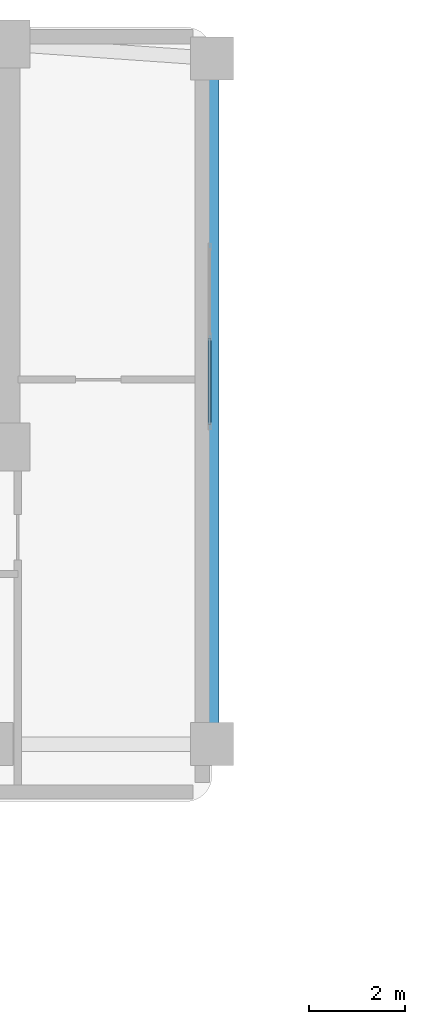
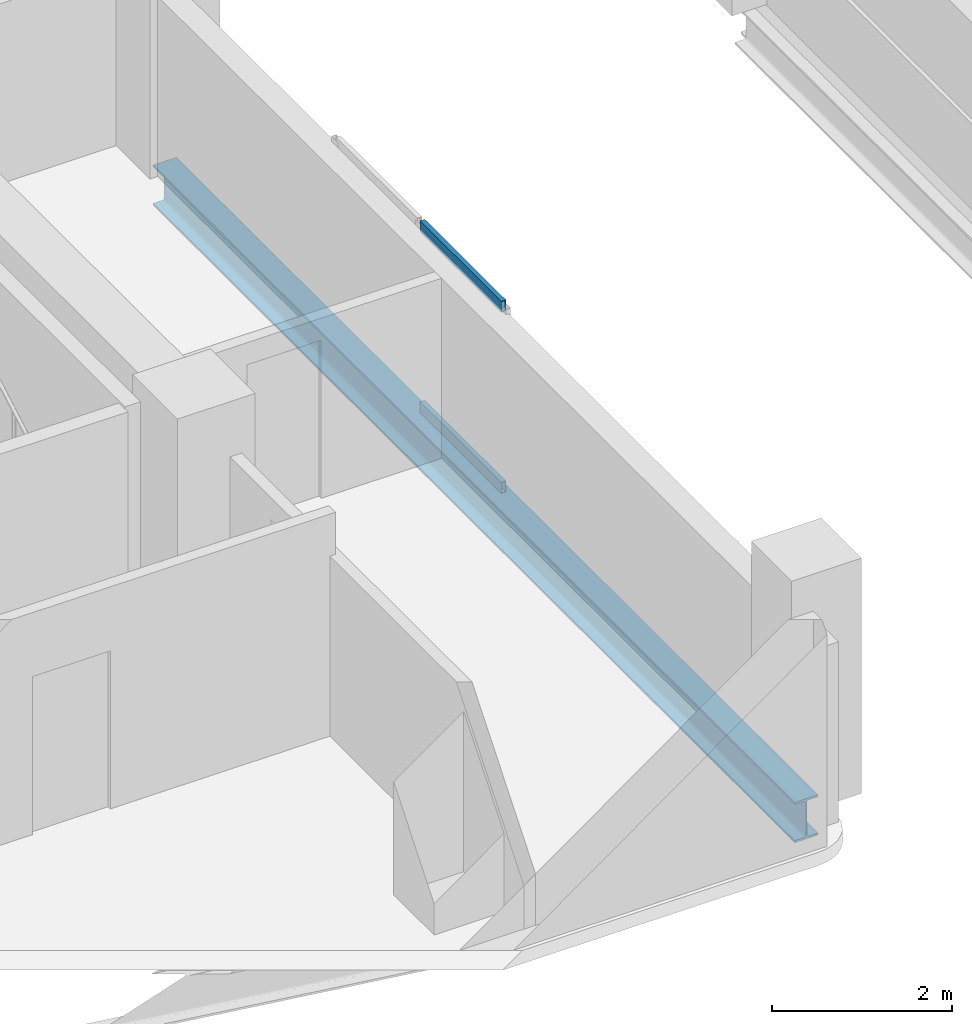
# One storey, part 3 of 9: 2 members, 1 beam, 1 element without a shape of its own.
"""IFC4 building model written with IfcOpenShell, lengths in metres."""

from ifc_helpers import new_model, si_unit, direction, frame, origin, origin_2d, place, context, subcontext, project, spatial, hollow_rectangle, i_section, extrude, material, material_profile, profile_set, type_object, element, aggregate, save


model = new_model("IFC4")

# Units and contexts
model_context = context("Model", 3, precision=1e-05, world=origin(), true_north=direction((0.0, 1.0)))
body_context = subcontext(model_context, "Body", "Model", "MODEL_VIEW")
ifc_project = project(units=[si_unit("LENGTHUNIT", "METRE"), si_unit("AREAUNIT", "SQUARE_METRE"), si_unit("VOLUMEUNIT", "CUBIC_METRE"), si_unit("PLANEANGLEUNIT", "RADIAN"), si_unit("MASSUNIT", "GRAM", prefix="KILO")], contexts=[model_context])

# Site, building, storey
site_placement = place(None, origin())
site = spatial("IfcSite", under=ifc_project, at=site_placement, CompositionType="ELEMENT")
building_placement = place(site_placement, origin())
building = spatial("IfcBuilding", under=site, at=building_placement, Name="Kuzgunbayir Cultural Tower", CompositionType="ELEMENT")
storey_placement = place(building_placement, frame((0.0, 0.0, 166.39990234375)))
storey = spatial("IfcBuildingStorey", under=building, at=storey_placement, Name="L48", CompositionType="ELEMENT", Elevation=166.39990234375)

# Beam
ifc_material_1 = material(Name="Steel S355J2", Category="steel")
ifc_material_profile_1 = material_profile(ifc_material_1, i_section(OverallWidth=0.300048828125, OverallDepth=0.550048828125, WebThickness=0.014892578125, FlangeThickness=0.029052734375, FilletRadius=0.027099609375, at=origin_2d()), Name="HEB 550")
ifc_profile_set_1 = profile_set([ifc_material_profile_1], Name="Steel S355J2")
beam_type = type_object("IfcBeamType", Name="BM-GIR-HEB550", PredefinedType="BEAM", material=ifc_profile_set_1)
beam_placement = place(storey_placement, frame((31.199951171875, 27.60009765625, -0.4599609375), z_axis=(0.0, 1.0, 0.0), x_axis=(-1.0, 0.0, 0.0)))
element("IfcBeam", 1, at=beam_placement, inside=storey, type_object=beam_type, Name="L48 Wing B Cross Girder", PredefinedType="BEAM", context=body_context, shape_type="SweptSolid", body=[
    extrude(i_section(OverallWidth=0.300048828125, OverallDepth=0.550048828125, WebThickness=0.014892578125, FlangeThickness=0.029052734375, FilletRadius=0.027099609375, at=origin_2d()), origin(), (0.0, 0.0, 1.0), 14.2998046875),
])

# Curtain wall, members
ifc_material_2 = material(Name="Anodised Aluminium Framing", Category="aluminium")
curtain_wall_type = type_object("IfcCurtainWallType", Name="CW02-PORTAL-SOFFIT", PredefinedType="NOTDEFINED", material=ifc_material_2)
curtain_wall_placement = place(storey_placement, origin())
curtain_wall = element("IfcCurtainWall", 2, at=curtain_wall_placement, inside=storey, type_object=curtain_wall_type, Name="L48 Wind-Portal Aperture Curtain Wall", PredefinedType="NOTDEFINED")
ifc_material_profile_2 = material_profile(ifc_material_2, hollow_rectangle(XDim=0.06005859375, YDim=0.14990234375, WallThickness=0.00390625, at=origin_2d()), Name="RHS 150x60x4")
ifc_profile_set_2 = profile_set([ifc_material_profile_2], Name="Anodised Aluminium Framing")
member_type = type_object("IfcMemberType", Name="MEM-CW-TRANSOM-150", PredefinedType="USERDEFINED", material=ifc_profile_set_2)
member_1_placement = place(storey_placement, frame((31.14990234375, 34.260009765625, 0.030029296875), z_axis=(0.0, 1.0, 0.0), x_axis=(-1.0, 0.0, 0.0)))
member_1 = element("IfcMember", 3, at=member_1_placement, type_object=member_type, Name="CW02 transom 1.1", ObjectType="TRANSOM", PredefinedType="USERDEFINED", context=body_context, shape_type="SweptSolid", body=[
    extrude(hollow_rectangle(XDim=0.06005859375, YDim=0.14990234375, WallThickness=0.00390625, at=origin_2d()), origin(), (0.0, 0.0, 1.0), 1.81005859375),
])
member_2_placement = place(storey_placement, frame((31.14990234375, 34.260009765625, 2.489990234375), z_axis=(0.0, 1.0, 0.0), x_axis=(-1.0, 0.0, 0.0)))
member_2 = element("IfcMember", 4, at=member_2_placement, type_object=member_type, Name="CW02 transom 1.2", ObjectType="TRANSOM", PredefinedType="USERDEFINED", context=body_context, shape_type="SweptSolid", body=[
    extrude(hollow_rectangle(XDim=0.06005859375, YDim=0.14990234375, WallThickness=0.00390625, at=origin_2d()), origin(), (0.0, 0.0, 1.0), 1.81005859375),
])
aggregate(curtain_wall, [member_1, member_2])

save(model, "model.ifc")
